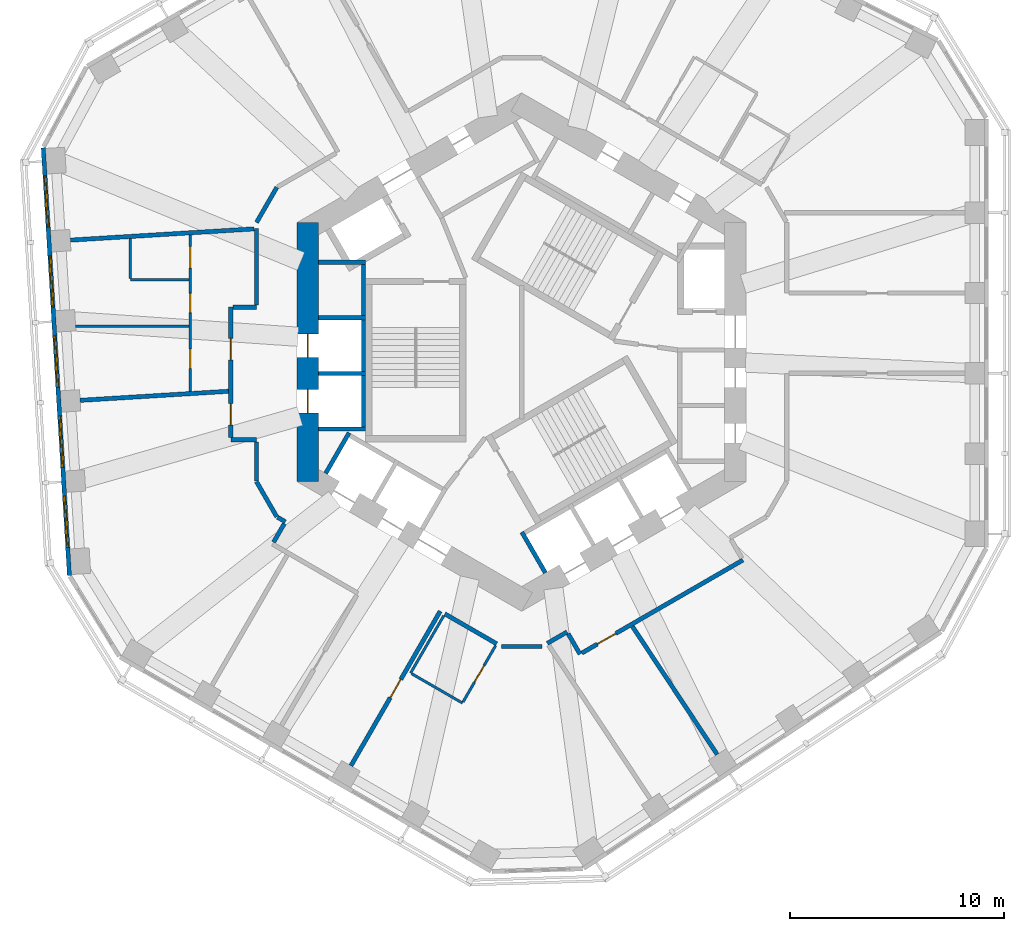
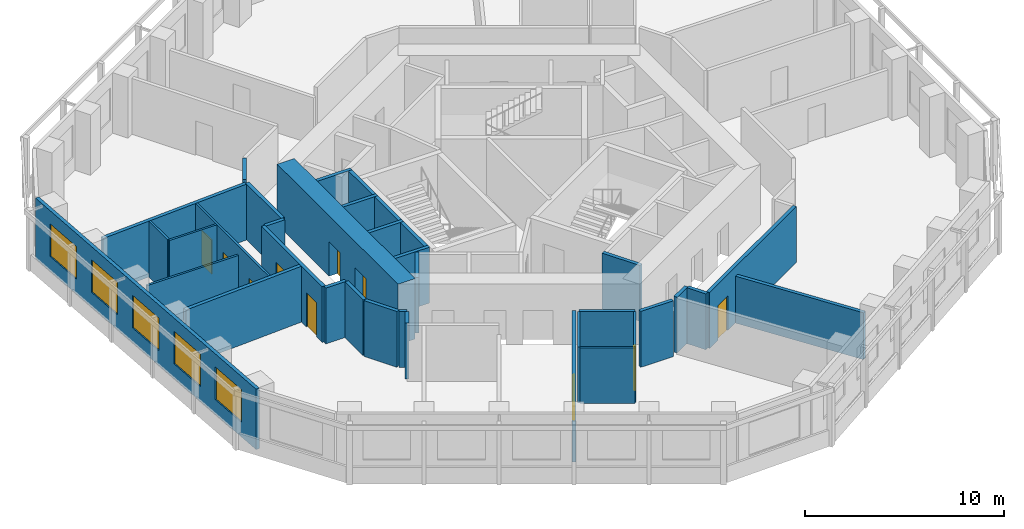
# One storey, part 4 of 10: 34 walls, 10 doors, 5 windows, 15 openings.
"""IFC4 building model written with IfcOpenShell, lengths in metres."""

from ifc_helpers import new_model, si_unit, direction, frame, frame_2d, origin, place, context, subcontext, project, spatial, rectangle, extrude, material, layer, layer_set, type_object, element, fill, save


model = new_model("IFC4")

# Units and contexts
model_context = context("Model", 3, precision=1e-05, world=origin(), true_north=direction((0.0, 1.0)))
body_context = subcontext(model_context, "Body", "Model", "MODEL_VIEW")
ifc_project = project(units=[si_unit("LENGTHUNIT", "METRE"), si_unit("AREAUNIT", "SQUARE_METRE"), si_unit("VOLUMEUNIT", "CUBIC_METRE"), si_unit("PLANEANGLEUNIT", "RADIAN"), si_unit("MASSUNIT", "GRAM", prefix="KILO")], contexts=[model_context])

# Site, building, storey
site_placement = place(None, origin())
site = spatial("IfcSite", under=ifc_project, at=site_placement, CompositionType="ELEMENT")
building_placement = place(site_placement, origin())
building = spatial("IfcBuilding", under=site, at=building_placement, Name="Vanh Sen Convention Tower", CompositionType="ELEMENT")
storey_placement = place(building_placement, frame((0.0, 0.0, 165.10009765625)))
storey = spatial("IfcBuildingStorey", under=building, at=storey_placement, Name="L40", CompositionType="ELEMENT", Elevation=165.10009765625)

# Walls
ifc_material_1 = material(Name="Moisture-resistant gypsum board on steel studs", Category="steel")
ifc_layer_1 = layer(ifc_material_1, 0.1201171875)
ifc_layer_set_1 = layer_set([ifc_layer_1], Name="Moisture-resistant gypsum board on steel studs")
wall_type_1 = type_object("IfcWallType", Name="Bathroom partition 120", PredefinedType="PARTITIONING", material=ifc_layer_set_1)
wall_1_placement = place(storey_placement, frame((-20.86279296875, 1.208251953125, 0.0), z_axis=(0.0, 0.0, 1.0), x_axis=(1.0, 0.0, 0.0)))
element("IfcWall", 1, at=wall_1_placement, inside=storey, type_object=wall_type_1, Name="Bathroom partition 120", PredefinedType="PARTITIONING", context=body_context, shape_type="SweptSolid", body=[
    extrude(rectangle(XDim=5.3017578125, YDim=0.1201171875, at=frame_2d((2.65087890625, 0.0))), origin(), (0.0, 0.0, 1.0), 2.869873046875),
])
wall_2_placement = place(storey_placement, frame((-18.301025390625, 3.379638671875, 0.0), z_axis=(0.0, 0.0, 1.0), x_axis=(1.0, 0.0, 0.0)))
element("IfcWall", 2, at=wall_2_placement, inside=storey, type_object=wall_type_1, Name="Bathroom partition 120", PredefinedType="PARTITIONING", context=body_context, shape_type="SweptSolid", body=[
    extrude(rectangle(XDim=2.739990234375, YDim=0.1201171875, at=frame_2d((1.3701171875, 0.0))), origin(), (0.0, 0.0, 1.0), 3.419921875),
])
wall_3_placement = place(storey_placement, frame((-18.301025390625, 5.308349609375, 0.0), z_axis=(0.0, 0.0, 1.0), x_axis=(0.0, -1.0, 0.0)))
element("IfcWall", 3, at=wall_3_placement, inside=storey, type_object=wall_type_1, Name="Bathroom partition 120", PredefinedType="PARTITIONING", context=body_context, shape_type="SweptSolid", body=[
    extrude(rectangle(XDim=1.86865234375, YDim=0.1201171875, at=frame_2d((0.934326171875, 0.0))), origin(), (0.0, 0.0, 1.0), 3.419921875),
])

# Wall, openings, doors
wall_4_placement = place(storey_placement, frame((-15.5009765625, 5.4794921875, 0.0), z_axis=(0.0, 0.0, 1.0), x_axis=(0.0, -1.0, 0.0)))
wall_4 = element("IfcWall", 4, at=wall_4_placement, inside=storey, type_object=wall_type_1, Name="Bathroom partition 120", PredefinedType="PARTITIONING", context=body_context, shape_type="SweptSolid", body=[
    extrude(rectangle(XDim=7.322265625, YDim=0.1201171875, at=frame_2d((3.6611328125, 0.0))), origin(), (0.0, 0.0, 1.0), 3.419921875),
])
opening_1_placement = place(wall_4_placement, frame((0.550048828125, 0.0, 0.0)))
opening_1 = element("IfcOpeningElement", 5, at=opening_1_placement, cuts=wall_4, Name="Opening D38108", PredefinedType="OPENING", context=body_context, shape_type="SweptSolid", body=[
    extrude(rectangle(XDim=1.0, YDim=2.10009765625, at=frame_2d((0.5, 1.050048828125))), frame((0.0, 0.070068359375, 0.0), z_axis=(0.0, -1.0, 0.0), x_axis=(1.0, 0.0, 0.0)), (0.0, 0.0, 1.0), 0.14013671875),
])
opening_2_placement = place(wall_4_placement, frame((2.735595703125, 0.0, 0.0)))
opening_2 = element("IfcOpeningElement", 6, at=opening_2_placement, cuts=wall_4, Name="Opening D38109", PredefinedType="OPENING", context=body_context, shape_type="SweptSolid", body=[
    extrude(rectangle(XDim=0.89990234375, YDim=2.10009765625, at=frame_2d((0.449951171875, 1.050048828125))), frame((0.0, 0.070068359375, 0.0), z_axis=(0.0, -1.0, 0.0), x_axis=(1.0, 0.0, 0.0)), (0.0, 0.0, 1.0), 0.14013671875),
])
opening_3_placement = place(wall_4_placement, frame((5.3466796875, 0.0, 0.0)))
opening_3 = element("IfcOpeningElement", 7, at=opening_3_placement, cuts=wall_4, Name="Opening D38110", PredefinedType="OPENING", context=body_context, shape_type="SweptSolid", body=[
    extrude(rectangle(XDim=0.89990234375, YDim=2.10009765625, at=frame_2d((0.449951171875, 1.050048828125))), frame((0.0, 0.070068359375, 0.0), z_axis=(0.0, -1.0, 0.0), x_axis=(1.0, 0.0, 0.0)), (0.0, 0.0, 1.0), 0.14013671875),
])
ifc_material_2 = material(Name="Laminate door in steel frame", Category="steel")
door_type_1 = type_object("IfcDoorType", Name="Accessible WC door 1000", OperationType="SINGLE_SWING_LEFT", PredefinedType="DOOR", material=ifc_material_2)
door_1_placement = place(opening_1_placement, origin())
door_1 = element("IfcDoor", 8, at=door_1_placement, inside=storey, type_object=door_type_1, Name="Accessible WC door D38108", OperationType="SINGLE_SWING_LEFT", OverallHeight=2.10009765625, OverallWidth=1.0, PredefinedType="DOOR", context=body_context, shape_type="SweptSolid", body=[
    extrude(rectangle(XDim=1.0, YDim=2.10009765625, at=frame_2d((0.5, 1.050048828125))), frame((0.0, 0.02490234375, 0.0), z_axis=(0.0, -1.0, 0.0), x_axis=(1.0, 0.0, 0.0)), (0.0, 0.0, 1.0), 0.050048828125),
])
fill(opening_1, door_1)
door_type_2 = type_object("IfcDoorType", Name="Room internal door 900", OperationType="SINGLE_SWING_LEFT", PredefinedType="DOOR", material=ifc_material_2)
door_2_placement = place(opening_2_placement, origin())
door_2 = element("IfcDoor", 9, at=door_2_placement, inside=storey, type_object=door_type_2, Name="Internal room door D38109", OperationType="SINGLE_SWING_LEFT", OverallHeight=2.10009765625, OverallWidth=0.89990234375, PredefinedType="DOOR", context=body_context, shape_type="SweptSolid", body=[
    extrude(rectangle(XDim=0.89990234375, YDim=2.10009765625, at=frame_2d((0.449951171875, 1.050048828125))), frame((0.0, 0.02490234375, 0.0), z_axis=(0.0, -1.0, 0.0), x_axis=(1.0, 0.0, 0.0)), (0.0, 0.0, 1.0), 0.050048828125),
])
fill(opening_2, door_2)
door_3_placement = place(opening_3_placement, origin())
door_3 = element("IfcDoor", 10, at=door_3_placement, inside=storey, type_object=door_type_2, Name="Internal room door D38110", OperationType="SINGLE_SWING_LEFT", OverallHeight=2.10009765625, OverallWidth=0.89990234375, PredefinedType="DOOR", context=body_context, shape_type="SweptSolid", body=[
    extrude(rectangle(XDim=0.89990234375, YDim=2.10009765625, at=frame_2d((0.449951171875, 1.050048828125))), frame((0.0, 0.02490234375, 0.0), z_axis=(0.0, -1.0, 0.0), x_axis=(1.0, 0.0, 0.0)), (0.0, 0.0, 1.0), 0.050048828125),
])
fill(opening_3, door_3)

# Walls
wall_5_placement = place(storey_placement, frame((-5.192138671875, -15.015625, 0.0), z_axis=(0.0, 0.0, 1.0), x_axis=(0.500026960575, 0.86600983753, 0.0)))
element("IfcWall", 11, at=wall_5_placement, inside=storey, type_object=wall_type_1, Name="Bathroom partition 120", PredefinedType="PARTITIONING", context=body_context, shape_type="SweptSolid", body=[
    extrude(rectangle(XDim=3.099853515625, YDim=0.1201171875, at=frame_2d((1.5498046875, 0.0))), origin(), (0.0, 0.0, 1.0), 3.419921875),
])
wall_6_placement = place(storey_placement, frame((-2.767333984375, -16.415771484375, 0.0), z_axis=(0.0, 0.0, 1.0), x_axis=(-0.865997131366, 0.500048966069, 0.0)))
element("IfcWall", 12, at=wall_6_placement, inside=storey, type_object=wall_type_1, Name="Bathroom partition 120", PredefinedType="PARTITIONING", context=body_context, shape_type="SweptSolid", body=[
    extrude(rectangle(XDim=2.739990234375, YDim=0.1201171875, at=frame_2d((1.3701171875, 0.0))), origin(), (0.0, 0.0, 1.0), 3.419921875),
])

# Wall, opening, door
wall_7_placement = place(storey_placement, frame((-1.21728515625, -13.73095703125, 0.0), z_axis=(0.0, 0.0, 1.0), x_axis=(-0.499991248344, -0.866030456496, 0.0)))
wall_7 = element("IfcWall", 13, at=wall_7_placement, inside=storey, type_object=wall_type_1, Name="Bathroom partition 120", PredefinedType="PARTITIONING", context=body_context, shape_type="SweptSolid", body=[
    extrude(rectangle(XDim=3.0400390625, YDim=0.1201171875, at=frame_2d((1.52001953125, 0.0))), origin(), (0.0, 0.0, 1.0), 3.419921875),
])
opening_4_placement = place(wall_7_placement, frame((1.070068359375, 0.0, 0.0)))
opening_4 = element("IfcOpeningElement", 14, at=opening_4_placement, cuts=wall_7, Name="Opening D38114", PredefinedType="OPENING", context=body_context, shape_type="SweptSolid", body=[
    extrude(rectangle(XDim=0.89990234375, YDim=2.10009765625, at=frame_2d((0.449951171875, 1.050048828125))), frame((0.0, 0.070068359375, 0.0), z_axis=(0.0, -1.0, 0.0), x_axis=(1.0, 0.0, 0.0)), (0.0, 0.0, 1.0), 0.14013671875),
])
door_4_placement = place(opening_4_placement, origin())
door_4 = element("IfcDoor", 15, at=door_4_placement, inside=storey, type_object=door_type_2, Name="Internal room door D38114", OperationType="SINGLE_SWING_LEFT", OverallHeight=2.10009765625, OverallWidth=0.89990234375, PredefinedType="DOOR", context=body_context, shape_type="SweptSolid", body=[
    extrude(rectangle(XDim=0.89990234375, YDim=2.10009765625, at=frame_2d((0.449951171875, 1.050048828125))), frame((0.0, 0.02490234375, 0.0), z_axis=(0.0, -1.0, 0.0), x_axis=(1.0, 0.0, 0.0)), (0.0, 0.0, 1.0), 0.050048828125),
])
fill(opening_4, door_4)

# Wall, openings, doors
ifc_material_3 = material(Name="Concrete C80/95", Category="concrete")
ifc_layer_2 = layer(ifc_material_3, 1.0)
ifc_layer_set_2 = layer_set([ifc_layer_2], Name="Concrete C80/95")
wall_type_2 = type_object("IfcWallType", Name="Core outer wall 1000 C80/95", PredefinedType="SHEAR", material=ifc_layer_set_2)
wall_8_placement = place(storey_placement, frame((-10.0, 6.062255859375, 0.0), z_axis=(0.0, 0.0, 1.0), x_axis=(0.0, -1.0, 0.0)))
wall_8 = element("IfcWall", 16, at=wall_8_placement, inside=storey, type_object=wall_type_2, Name="Core wall face W L40", PredefinedType="SHEAR", context=body_context, shape_type="SweptSolid", body=[
    extrude(rectangle(XDim=12.12451171875, YDim=1.0, at=frame_2d((6.062255859375, 0.0))), origin(), (0.0, 0.0, 1.0), 3.699951171875),
])
opening_5_placement = place(wall_8_placement, frame((5.212158203125, 0.0, 0.0)))
opening_5 = element("IfcOpeningElement", 17, at=opening_5_placement, cuts=wall_8, Name="Opening LD-HR1", PredefinedType="OPENING", context=body_context, shape_type="SweptSolid", body=[
    extrude(rectangle(XDim=1.10009765625, YDim=2.10009765625, at=frame_2d((0.550048828125, 1.050048828125))), frame((0.0, 0.510009765625, 0.0), z_axis=(0.0, -1.0, 0.0), x_axis=(1.0, 0.0, 0.0)), (0.0, 0.0, 1.0), 1.02001953125),
])
opening_6_placement = place(wall_8_placement, frame((7.812255859375, 0.0, 0.0)))
opening_6 = element("IfcOpeningElement", 18, at=opening_6_placement, cuts=wall_8, Name="Opening LD-HR2", PredefinedType="OPENING", context=body_context, shape_type="SweptSolid", body=[
    extrude(rectangle(XDim=1.10009765625, YDim=2.10009765625, at=frame_2d((0.550048828125, 1.050048828125))), frame((0.0, 0.510009765625, 0.0), z_axis=(0.0, -1.0, 0.0), x_axis=(1.0, 0.0, 0.0)), (0.0, 0.0, 1.0), 1.02001953125),
])
ifc_material_4 = material(Name="Stainless steel", Category="steel")
door_type_3 = type_object("IfcDoorType", Name="Lift landing door 1100", OperationType="DOUBLE_DOOR_SLIDING", PredefinedType="DOOR", material=ifc_material_4)
door_5_placement = place(opening_5_placement, origin())
door_5 = element("IfcDoor", 19, at=door_5_placement, inside=storey, type_object=door_type_3, Name="Lift HR1 landing door LD-HR1", OperationType="DOUBLE_DOOR_SLIDING", OverallHeight=2.10009765625, OverallWidth=1.10009765625, PredefinedType="DOOR", context=body_context, shape_type="SweptSolid", body=[
    extrude(rectangle(XDim=1.10009765625, YDim=2.10009765625, at=frame_2d((0.550048828125, 1.050048828125))), frame((0.0, 0.02490234375, 0.0), z_axis=(0.0, -1.0, 0.0), x_axis=(1.0, 0.0, 0.0)), (0.0, 0.0, 1.0), 0.050048828125),
])
fill(opening_5, door_5)
door_6_placement = place(opening_6_placement, origin())
door_6 = element("IfcDoor", 20, at=door_6_placement, inside=storey, type_object=door_type_3, Name="Lift HR2 landing door LD-HR2", OperationType="DOUBLE_DOOR_SLIDING", OverallHeight=2.10009765625, OverallWidth=1.10009765625, PredefinedType="DOOR", context=body_context, shape_type="SweptSolid", body=[
    extrude(rectangle(XDim=1.10009765625, YDim=2.10009765625, at=frame_2d((0.550048828125, 1.050048828125))), frame((0.0, 0.02490234375, 0.0), z_axis=(0.0, -1.0, 0.0), x_axis=(1.0, 0.0, 0.0)), (0.0, 0.0, 1.0), 0.050048828125),
])
fill(opening_6, door_6)

# Wall
ifc_material_5 = material(Name="Gypsum board on steel studs with mineral wool", Category="steel")
ifc_layer_3 = layer(ifc_material_5, 0.199951171875)
ifc_layer_set_3 = layer_set([ifc_layer_3], Name="Gypsum board on steel studs with mineral wool")
wall_type_3 = type_object("IfcWallType", Name="Corridor partition wall 200", PredefinedType="PARTITIONING", material=ifc_layer_set_3)
wall_9_placement = place(storey_placement, frame((-13.60107421875, -4.10107421875, 0.0), z_axis=(0.0, 0.0, 1.0), x_axis=(1.0, 0.0, 0.0)))
element("IfcWall", 21, at=wall_9_placement, inside=storey, type_object=wall_type_3, Name="Corridor partition wall 200", PredefinedType="PARTITIONING", context=body_context, shape_type="SweptSolid", body=[
    extrude(rectangle(XDim=1.201171875, YDim=0.199951171875, at=frame_2d((0.6005859375, 0.0))), origin(), (0.0, 0.0, 1.0), 3.419921875),
])

# Wall, openings, doors
wall_10_placement = place(storey_placement, frame((-13.60107421875, 2.10107421875, 0.0), z_axis=(0.0, 0.0, 1.0), x_axis=(0.0, -1.0, 0.0)))
wall_10 = element("IfcWall", 22, at=wall_10_placement, inside=storey, type_object=wall_type_3, Name="Corridor partition wall 200", PredefinedType="PARTITIONING", context=body_context, shape_type="SweptSolid", body=[
    extrude(rectangle(XDim=6.10205078125, YDim=0.199951171875, at=frame_2d((3.051025390625, 0.0))), origin(), (0.0, 0.0, 1.0), 3.419921875),
])
opening_7_placement = place(wall_10_placement, frame((1.4638671875, 0.0, 0.0)))
opening_7 = element("IfcOpeningElement", 23, at=opening_7_placement, cuts=wall_10, Name="Opening D38107", PredefinedType="OPENING", context=body_context, shape_type="SweptSolid", body=[
    extrude(rectangle(XDim=1.0, YDim=2.10009765625, at=frame_2d((0.5, 1.050048828125))), frame((0.0, 0.10986328125, 0.0), z_axis=(0.0, -1.0, 0.0), x_axis=(1.0, 0.0, 0.0)), (0.0, 0.0, 1.0), 0.219970703125),
])
opening_8_placement = place(wall_10_placement, frame((4.514892578125, 0.0, 0.0)))
opening_8 = element("IfcOpeningElement", 24, at=opening_8_placement, cuts=wall_10, Name="Opening D38111", PredefinedType="OPENING", context=body_context, shape_type="SweptSolid", body=[
    extrude(rectangle(XDim=1.0, YDim=2.10009765625, at=frame_2d((0.5, 1.050048828125))), frame((0.0, 0.10986328125, 0.0), z_axis=(0.0, -1.0, 0.0), x_axis=(1.0, 0.0, 0.0)), (0.0, 0.0, 1.0), 0.219970703125),
])
ifc_material_6 = material(Name="Timber fire door in steel frame", Category="steel")
door_type_4 = type_object("IfcDoorType", Name="Floor room door 1000", OperationType="SINGLE_SWING_LEFT", PredefinedType="DOOR", material=ifc_material_6)
door_7_placement = place(opening_7_placement, origin())
door_7 = element("IfcDoor", 25, at=door_7_placement, inside=storey, type_object=door_type_4, Name="Meeting and amenity room door D38107", OperationType="SINGLE_SWING_LEFT", OverallHeight=2.10009765625, OverallWidth=1.0, PredefinedType="DOOR", context=body_context, shape_type="SweptSolid", body=[
    extrude(rectangle(XDim=1.0, YDim=2.10009765625, at=frame_2d((0.5, 1.050048828125))), frame((0.0, 0.02490234375, 0.0), z_axis=(0.0, -1.0, 0.0), x_axis=(1.0, 0.0, 0.0)), (0.0, 0.0, 1.0), 0.050048828125),
])
fill(opening_7, door_7)
ifc_material_7 = material(Name="Glazed fire door in steel frame", Category="steel")
door_type_5 = type_object("IfcDoorType", Name="Tenant entrance door 1000", OperationType="SINGLE_SWING_LEFT", PredefinedType="DOOR", material=ifc_material_7)
door_8_placement = place(opening_8_placement, origin())
door_8 = element("IfcDoor", 26, at=door_8_placement, inside=storey, type_object=door_type_5, Name="Tenant suite entrance door D38111", OperationType="SINGLE_SWING_LEFT", OverallHeight=2.10009765625, OverallWidth=1.0, PredefinedType="DOOR", context=body_context, shape_type="SweptSolid", body=[
    extrude(rectangle(XDim=1.0, YDim=2.10009765625, at=frame_2d((0.5, 1.050048828125))), frame((0.0, 0.02490234375, 0.0), z_axis=(0.0, -1.0, 0.0), x_axis=(1.0, 0.0, 0.0)), (0.0, 0.0, 1.0), 0.050048828125),
])
fill(opening_8, door_8)

# Walls
wall_11_placement = place(storey_placement, frame((-12.39990234375, -6.062255859375, 0.0), z_axis=(0.0, 0.0, 1.0), x_axis=(0.500022797313, -0.86601224135, 0.0)))
element("IfcWall", 27, at=wall_11_placement, inside=storey, type_object=wall_type_3, Name="Corridor partition wall 200", PredefinedType="PARTITIONING", context=body_context, shape_type="SweptSolid", body=[
    extrude(rectangle(XDim=1.89990234375, YDim=0.199951171875, at=frame_2d((0.949951171875, 0.0))), origin(), (0.0, 0.0, 1.0), 3.419921875),
])
wall_12_placement = place(storey_placement, frame((-12.39990234375, -4.200927734375, 0.0), z_axis=(0.0, 0.0, 1.0), x_axis=(0.0, -1.0, 0.0)))
element("IfcWall", 28, at=wall_12_placement, inside=storey, type_object=wall_type_3, Name="Corridor partition wall 200", PredefinedType="PARTITIONING", context=body_context, shape_type="SweptSolid", body=[
    extrude(rectangle(XDim=1.8212890625, YDim=0.199951171875, at=frame_2d((0.91064453125, 0.0))), origin(), (0.0, 0.0, 1.0), 3.419921875),
])
wall_13_placement = place(storey_placement, frame((-12.39990234375, 2.10107421875, 0.0), z_axis=(0.0, 0.0, 1.0), x_axis=(-1.0, 0.0, 0.0)))
element("IfcWall", 29, at=wall_13_placement, inside=storey, type_object=wall_type_3, Name="Corridor partition wall 200", PredefinedType="PARTITIONING", context=body_context, shape_type="SweptSolid", body=[
    extrude(rectangle(XDim=1.10107421875, YDim=0.199951171875, at=frame_2d((0.550537109375, 0.0))), origin(), (0.0, 0.0, 1.0), 3.419921875),
])
wall_14_placement = place(storey_placement, frame((-12.39990234375, 5.769287109375, 0.0), z_axis=(0.0, 0.0, 1.0), x_axis=(0.0, -1.0, 0.0)))
element("IfcWall", 30, at=wall_14_placement, inside=storey, type_object=wall_type_3, Name="Corridor partition wall 200", PredefinedType="PARTITIONING", context=body_context, shape_type="SweptSolid", body=[
    extrude(rectangle(XDim=3.568359375, YDim=0.199951171875, at=frame_2d((1.7841796875, 0.0))), origin(), (0.0, 0.0, 1.0), 3.419921875),
])
wall_15_placement = place(storey_placement, frame((-11.449951171875, 7.70751953125, 0.0), z_axis=(0.0, 0.0, 1.0), x_axis=(-0.500022797313, -0.86601224135, 0.0)))
element("IfcWall", 31, at=wall_15_placement, inside=storey, type_object=wall_type_3, Name="Corridor partition wall 200", PredefinedType="PARTITIONING", context=body_context, shape_type="SweptSolid", body=[
    extrude(rectangle(XDim=1.89990234375, YDim=0.199951171875, at=frame_2d((0.949951171875, 0.0))), origin(), (0.0, 0.0, 1.0), 3.419921875),
])
wall_16_placement = place(storey_placement, frame((-11.415283203125, -7.7275390625, 0.0), z_axis=(0.0, 0.0, 1.0), x_axis=(0.865915281873, -0.500190688257, 0.0)))
element("IfcWall", 32, at=wall_16_placement, inside=storey, type_object=wall_type_3, Name="Corridor partition wall 200", PredefinedType="PARTITIONING", context=body_context, shape_type="SweptSolid", body=[
    extrude(rectangle(XDim=0.421142578125, YDim=0.199951171875, at=frame_2d((0.21044921875, 0.0))), origin(), (0.0, 0.0, 1.0), 3.419921875),
])
wall_17_placement = place(storey_placement, frame((-11.1005859375, -8.02490234375, 0.0), z_axis=(0.0, 0.0, 1.0), x_axis=(-0.500074377092, -0.865982457891, 0.0)))
element("IfcWall", 33, at=wall_17_placement, inside=storey, type_object=wall_type_3, Name="Corridor partition wall 200", PredefinedType="PARTITIONING", context=body_context, shape_type="SweptSolid", body=[
    extrude(rectangle(XDim=1.000732421875, YDim=0.199951171875, at=frame_2d((0.50048828125, 0.0))), origin(), (0.0, 0.0, 1.0), 3.419921875),
])

# Wall, opening, door
wall_18_placement = place(storey_placement, frame((-7.983642578125, -19.3505859375, 0.0), z_axis=(0.0, 0.0, 1.0), x_axis=(0.500010139422, 0.866019549707, 0.0)))
wall_18 = element("IfcWall", 34, at=wall_18_placement, inside=storey, type_object=wall_type_3, Name="Corridor partition wall 200", PredefinedType="PARTITIONING", context=body_context, shape_type="SweptSolid", body=[
    extrude(rectangle(XDim=8.349853515625, YDim=0.199951171875, at=frame_2d((4.1748046875, 0.0))), origin(), (0.0, 0.0, 1.0), 3.419921875),
])
opening_9_placement = place(wall_18_placement, frame((3.675048828125, 0.0, 0.0)))
opening_9 = element("IfcOpeningElement", 35, at=opening_9_placement, cuts=wall_18, Name="Opening D38113", PredefinedType="OPENING", context=body_context, shape_type="SweptSolid", body=[
    extrude(rectangle(XDim=1.0, YDim=2.10009765625, at=frame_2d((0.5, 1.050048828125))), frame((0.0, 0.10986328125, 0.0), z_axis=(0.0, -1.0, 0.0), x_axis=(1.0, 0.0, 0.0)), (0.0, 0.0, 1.0), 0.219970703125),
])
door_9_placement = place(opening_9_placement, origin())
door_9 = element("IfcDoor", 36, at=door_9_placement, inside=storey, type_object=door_type_5, Name="Tenant suite entrance door D38113", OperationType="SINGLE_SWING_LEFT", OverallHeight=2.10009765625, OverallWidth=1.0, PredefinedType="DOOR", context=body_context, shape_type="SweptSolid", body=[
    extrude(rectangle(XDim=1.0, YDim=2.10009765625, at=frame_2d((0.5, 1.050048828125))), frame((0.0, 0.02490234375, 0.0), z_axis=(0.0, -1.0, 0.0), x_axis=(1.0, 0.0, 0.0)), (0.0, 0.0, 1.0), 0.050048828125),
])
fill(opening_9, door_9)

# Walls
wall_19_placement = place(storey_placement, frame((-3.592041015625, -12.244384765625, 0.0), z_axis=(0.0, 0.0, 1.0), x_axis=(0.866034573852, -0.49998411664, 0.0)))
element("IfcWall", 37, at=wall_19_placement, inside=storey, type_object=wall_type_3, Name="Corridor partition wall 200", PredefinedType="PARTITIONING", context=body_context, shape_type="SweptSolid", body=[
    extrude(rectangle(XDim=2.7998046875, YDim=0.199951171875, at=frame_2d((1.39990234375, 0.0))), origin(), (0.0, 0.0, 1.0), 3.419921875),
])
wall_20_placement = place(storey_placement, frame((-0.949951171875, -13.769775390625, 0.0), z_axis=(0.0, 0.0, 1.0), x_axis=(1.0, 0.0, 0.0)))
element("IfcWall", 38, at=wall_20_placement, inside=storey, type_object=wall_type_3, Name="Corridor partition wall 200", PredefinedType="PARTITIONING", context=body_context, shape_type="SweptSolid", body=[
    extrude(rectangle(XDim=1.89990234375, YDim=0.199951171875, at=frame_2d((0.949951171875, 0.0))), origin(), (0.0, 0.0, 1.0), 3.419921875),
])
wall_21_placement = place(storey_placement, frame((1.20361328125, -13.623291015625, 0.0), z_axis=(0.0, 0.0, 1.0), x_axis=(0.866040989419, 0.499973003918, 0.0)))
element("IfcWall", 39, at=wall_21_placement, inside=storey, type_object=wall_type_3, Name="Corridor partition wall 200", PredefinedType="PARTITIONING", context=body_context, shape_type="SweptSolid", body=[
    extrude(rectangle(XDim=1.068359375, YDim=0.199951171875, at=frame_2d((0.5341796875, 0.0))), origin(), (0.0, 0.0, 1.0), 3.419921875),
])
wall_22_placement = place(storey_placement, frame((2.1787109375, -13.17578125, 0.0), z_axis=(0.0, 0.0, 1.0), x_axis=(0.499978356969, -0.866037899034, 0.0)))
element("IfcWall", 40, at=wall_22_placement, inside=storey, type_object=wall_type_3, Name="Corridor partition wall 200", PredefinedType="PARTITIONING", context=body_context, shape_type="SweptSolid", body=[
    extrude(rectangle(XDim=1.10107421875, YDim=0.199951171875, at=frame_2d((0.550537109375, 0.0))), origin(), (0.0, 0.0, 1.0), 3.419921875),
])

# Wall, opening, door
wall_23_placement = place(storey_placement, frame((2.81591796875, -14.079345703125, 0.0), z_axis=(0.0, 0.0, 1.0), x_axis=(0.866021128829, 0.500007404367, 0.0)))
wall_23 = element("IfcWall", 41, at=wall_23_placement, inside=storey, type_object=wall_type_3, Name="Corridor partition wall 200", PredefinedType="PARTITIONING", context=body_context, shape_type="SweptSolid", body=[
    extrude(rectangle(XDim=8.701904296875, YDim=0.199951171875, at=frame_2d((4.35107421875, 0.0))), origin(), (0.0, 0.0, 1.0), 3.419921875),
])
opening_10_placement = place(wall_23_placement, frame((0.833251953125, 0.0, 0.0)))
opening_10 = element("IfcOpeningElement", 42, at=opening_10_placement, cuts=wall_23, Name="Opening D38115", PredefinedType="OPENING", context=body_context, shape_type="SweptSolid", body=[
    extrude(rectangle(XDim=1.0, YDim=2.10009765625, at=frame_2d((0.5, 1.050048828125))), frame((0.0, 0.10986328125, 0.0), z_axis=(0.0, -1.0, 0.0), x_axis=(1.0, 0.0, 0.0)), (0.0, 0.0, 1.0), 0.219970703125),
])
door_10_placement = place(opening_10_placement, origin())
door_10 = element("IfcDoor", 43, at=door_10_placement, inside=storey, type_object=door_type_5, Name="Tenant suite entrance door D38115", OperationType="SINGLE_SWING_LEFT", OverallHeight=2.10009765625, OverallWidth=1.0, PredefinedType="DOOR", context=body_context, shape_type="SweptSolid", body=[
    extrude(rectangle(XDim=1.0, YDim=2.10009765625, at=frame_2d((0.5, 1.050048828125))), frame((0.0, 0.02490234375, 0.0), z_axis=(0.0, -1.0, 0.0), x_axis=(1.0, 0.0, 0.0)), (0.0, 0.0, 1.0), 0.050048828125),
])
fill(opening_10, door_10)

# Wall, openings, windows
ifc_material_8 = material(Name="Insulated lightweight infill wall")
ifc_layer_4 = layer(ifc_material_8, 0.199951171875)
ifc_layer_set_4 = layer_set([ifc_layer_4], Name="Insulated lightweight infill wall")
wall_type_4 = type_object("IfcWallType", Name="External wall 200", PredefinedType="STANDARD", material=ifc_layer_set_4)
wall_24_placement = place(storey_placement, frame((-22.375, 9.55712890625, 0.0), z_axis=(0.0, 0.0, 1.0), x_axis=(0.061036015339, -0.998135564356, 0.0)))
wall_24 = element("IfcWall", 44, at=wall_24_placement, inside=storey, type_object=wall_type_4, Name="External wall W L40", PredefinedType="STANDARD", context=body_context, shape_type="SweptSolid", body=[
    extrude(rectangle(XDim=20.043701171875, YDim=0.199951171875, at=frame_2d((10.02197265625, 0.0))), origin(), (0.0, 0.0, 1.0), 3.699951171875),
])
opening_11_placement = place(wall_24_placement, frame((1.312744140625, 0.0, 0.89990234375)))
opening_11 = element("IfcOpeningElement", 45, at=opening_11_placement, cuts=wall_24, Name="Opening WO1-W1", PredefinedType="OPENING", context=body_context, shape_type="SweptSolid", body=[
    extrude(rectangle(XDim=2.39990234375, YDim=2.0, at=frame_2d((1.199951171875, 1.0))), frame((0.0, 0.10986328125, 0.0), z_axis=(0.0, -1.0, 0.0), x_axis=(1.0, 0.0, 0.0)), (0.0, 0.0, 1.0), 0.219970703125),
])
opening_12_placement = place(wall_24_placement, frame((5.06689453125, 0.0, 0.89990234375)))
opening_12 = element("IfcOpeningElement", 46, at=opening_12_placement, cuts=wall_24, Name="Opening WO1-W2", PredefinedType="OPENING", context=body_context, shape_type="SweptSolid", body=[
    extrude(rectangle(XDim=2.39990234375, YDim=2.0, at=frame_2d((1.199951171875, 1.0))), frame((0.0, 0.10986328125, 0.0), z_axis=(0.0, -1.0, 0.0), x_axis=(1.0, 0.0, 0.0)), (0.0, 0.0, 1.0), 0.219970703125),
])
opening_13_placement = place(wall_24_placement, frame((8.821044921875, 0.0, 0.89990234375)))
opening_13 = element("IfcOpeningElement", 47, at=opening_13_placement, cuts=wall_24, Name="Opening WO1-W3", PredefinedType="OPENING", context=body_context, shape_type="SweptSolid", body=[
    extrude(rectangle(XDim=2.39990234375, YDim=2.0, at=frame_2d((1.199951171875, 1.0))), frame((0.0, 0.10986328125, 0.0), z_axis=(0.0, -1.0, 0.0), x_axis=(1.0, 0.0, 0.0)), (0.0, 0.0, 1.0), 0.219970703125),
])
opening_14_placement = place(wall_24_placement, frame((12.5751953125, 0.0, 0.89990234375)))
opening_14 = element("IfcOpeningElement", 48, at=opening_14_placement, cuts=wall_24, Name="Opening WO1-W4", PredefinedType="OPENING", context=body_context, shape_type="SweptSolid", body=[
    extrude(rectangle(XDim=2.39990234375, YDim=2.0, at=frame_2d((1.199951171875, 1.0))), frame((0.0, 0.10986328125, 0.0), z_axis=(0.0, -1.0, 0.0), x_axis=(1.0, 0.0, 0.0)), (0.0, 0.0, 1.0), 0.219970703125),
])
opening_15_placement = place(wall_24_placement, frame((16.329345703125, 0.0, 0.89990234375)))
opening_15 = element("IfcOpeningElement", 49, at=opening_15_placement, cuts=wall_24, Name="Opening WO1-W5", PredefinedType="OPENING", context=body_context, shape_type="SweptSolid", body=[
    extrude(rectangle(XDim=2.39990234375, YDim=2.0, at=frame_2d((1.199951171875, 1.0))), frame((0.0, 0.10986328125, 0.0), z_axis=(0.0, -1.0, 0.0), x_axis=(1.0, 0.0, 0.0)), (0.0, 0.0, 1.0), 0.219970703125),
])
ifc_material_9 = material(Name="Aluminium frame with clear low-emissivity glass", Category="aluminium")
window_type = type_object("IfcWindowType", Name="Office window 2400 x 2000", PartitioningType="SINGLE_PANEL", PredefinedType="WINDOW", material=ifc_material_9)
window_1_placement = place(opening_11_placement, origin())
window_1 = element("IfcWindow", 50, at=window_1_placement, inside=storey, type_object=window_type, Name="Window WO1-W1", OverallHeight=2.0, OverallWidth=2.39990234375, PartitioningType="SINGLE_PANEL", PredefinedType="WINDOW", context=body_context, shape_type="SweptSolid", body=[
    extrude(rectangle(XDim=2.39990234375, YDim=2.0, at=frame_2d((1.199951171875, 1.0))), frame((0.0, 0.030029296875, 0.0), z_axis=(0.0, -1.0, 0.0), x_axis=(1.0, 0.0, 0.0)), (0.0, 0.0, 1.0), 0.06005859375),
])
fill(opening_11, window_1)
window_2_placement = place(opening_12_placement, origin())
window_2 = element("IfcWindow", 51, at=window_2_placement, inside=storey, type_object=window_type, Name="Window WO1-W2", OverallHeight=2.0, OverallWidth=2.39990234375, PartitioningType="SINGLE_PANEL", PredefinedType="WINDOW", context=body_context, shape_type="SweptSolid", body=[
    extrude(rectangle(XDim=2.39990234375, YDim=2.0, at=frame_2d((1.199951171875, 1.0))), frame((0.0, 0.030029296875, 0.0), z_axis=(0.0, -1.0, 0.0), x_axis=(1.0, 0.0, 0.0)), (0.0, 0.0, 1.0), 0.06005859375),
])
fill(opening_12, window_2)
window_3_placement = place(opening_13_placement, origin())
window_3 = element("IfcWindow", 52, at=window_3_placement, inside=storey, type_object=window_type, Name="Window WO1-W3", OverallHeight=2.0, OverallWidth=2.39990234375, PartitioningType="SINGLE_PANEL", PredefinedType="WINDOW", context=body_context, shape_type="SweptSolid", body=[
    extrude(rectangle(XDim=2.39990234375, YDim=2.0, at=frame_2d((1.199951171875, 1.0))), frame((0.0, 0.030029296875, 0.0), z_axis=(0.0, -1.0, 0.0), x_axis=(1.0, 0.0, 0.0)), (0.0, 0.0, 1.0), 0.06005859375),
])
fill(opening_13, window_3)
window_4_placement = place(opening_14_placement, origin())
window_4 = element("IfcWindow", 53, at=window_4_placement, inside=storey, type_object=window_type, Name="Window WO1-W4", OverallHeight=2.0, OverallWidth=2.39990234375, PartitioningType="SINGLE_PANEL", PredefinedType="WINDOW", context=body_context, shape_type="SweptSolid", body=[
    extrude(rectangle(XDim=2.39990234375, YDim=2.0, at=frame_2d((1.199951171875, 1.0))), frame((0.0, 0.030029296875, 0.0), z_axis=(0.0, -1.0, 0.0), x_axis=(1.0, 0.0, 0.0)), (0.0, 0.0, 1.0), 0.06005859375),
])
fill(opening_14, window_4)
window_5_placement = place(opening_15_placement, origin())
window_5 = element("IfcWindow", 54, at=window_5_placement, inside=storey, type_object=window_type, Name="Window WO1-W5", OverallHeight=2.0, OverallWidth=2.39990234375, PartitioningType="SINGLE_PANEL", PredefinedType="WINDOW", context=body_context, shape_type="SweptSolid", body=[
    extrude(rectangle(XDim=2.39990234375, YDim=2.0, at=frame_2d((1.199951171875, 1.0))), frame((0.0, 0.030029296875, 0.0), z_axis=(0.0, -1.0, 0.0), x_axis=(1.0, 0.0, 0.0)), (0.0, 0.0, 1.0), 0.06005859375),
])
fill(opening_15, window_5)

# Walls
ifc_material_10 = material(Name="Concrete C40/50", Category="concrete")
ifc_layer_5 = layer(ifc_material_10, 0.199951171875)
ifc_layer_set_5 = layer_set([ifc_layer_5], Name="Concrete C40/50")
wall_type_5 = type_object("IfcWallType", Name="Lift shaft wall 200", PredefinedType="PARTITIONING", material=ifc_layer_set_5)
wall_25_placement = place(storey_placement, frame((-7.39990234375, 4.300048828125, 0.0), z_axis=(0.0, 0.0, 1.0), x_axis=(0.0, -1.0, 0.0)))
element("IfcWall", 55, at=wall_25_placement, inside=storey, type_object=wall_type_5, Name="Lift shaft wall L40", PredefinedType="PARTITIONING", context=body_context, shape_type="SweptSolid", body=[
    extrude(rectangle(XDim=8.0, YDim=0.199951171875, at=frame_2d((4.0, 0.0))), origin(), (0.0, 0.0, 1.0), 3.419921875),
])
for number, where, z_axis, x_axis, name in (
    (56, (-7.300048828125, 4.199951171875, 0.0), (0.0, 0.0, 1.0), (-1.0, 0.0, 0.0), "Lift shaft wall L40"),
    (57, (-7.300048828125, 1.60009765625, 0.0), (0.0, 0.0, 1.0), (-1.0, 0.0, 0.0), "Lift shaft wall L40"),
    (58, (-7.300048828125, -1.0, 0.0), (0.0, 0.0, 1.0), (-1.0, 0.0, 0.0), "Lift shaft wall L40"),
    (59, (-7.300048828125, -3.60009765625, 0.0), (0.0, 0.0, 1.0), (-1.0, 0.0, 0.0), "Lift shaft wall L40"),
    (60, (-8.066650390625, -3.77197265625, 0.0), (0.0, 0.0, 1.0), (-0.50002983664, -0.866008176907, 0.0), "Lift shaft wall L40"),
    (61, (0.0126953125, -8.422119140625, 0.0), (0.0, 0.0, 1.0), (0.500077893725, -0.86598042715, 0.0), "Lift shaft wall L40"),
):
    element("IfcWall", number, at=place(storey_placement, frame(where, z_axis=z_axis, x_axis=x_axis)), inside=storey, type_object=wall_type_5, Name=name, PredefinedType="PARTITIONING", context=body_context, shape_type="SweptSolid", body=[
        extrude(rectangle(XDim=2.199951171875, YDim=0.199951171875, at=frame_2d((1.10009765625, 0.0))), origin(), (0.0, 0.0, 1.0), 3.419921875),
    ])
ifc_layer_6 = layer(ifc_material_5, 0.199951171875)
ifc_layer_set_6 = layer_set([ifc_layer_6], Name="Gypsum board on steel studs with mineral wool")
wall_type_6 = type_object("IfcWallType", Name="Tenant suite wall 200", PredefinedType="PARTITIONING", material=ifc_layer_set_6)
wall_26_placement = place(storey_placement, frame((-21.10888671875, 5.236572265625, 0.0), z_axis=(0.0, 0.0, 1.0), x_axis=(0.998135264293, 0.061040922131, 0.0)))
element("IfcWall", 62, at=wall_26_placement, inside=storey, type_object=wall_type_6, Name="Tenant suite wall 200", PredefinedType="PARTITIONING", context=body_context, shape_type="SweptSolid", body=[
    extrude(rectangle(XDim=8.615234375, YDim=0.199951171875, at=frame_2d((4.3076171875, 0.0))), origin(), (0.0, 0.0, 1.0), 3.419921875),
])
wall_27_placement = place(storey_placement, frame((-20.650634765625, -2.2578125, 0.0), z_axis=(0.0, 0.0, 1.0), x_axis=(0.998133960965, 0.061062230286, 0.0)))
element("IfcWall", 63, at=wall_27_placement, inside=storey, type_object=wall_type_6, Name="Tenant suite wall 200", PredefinedType="PARTITIONING", context=body_context, shape_type="SweptSolid", body=[
    extrude(rectangle(XDim=6.952880859375, YDim=0.199951171875, at=frame_2d((3.4765625, 0.0))), origin(), (0.0, 0.0, 1.0), 3.419921875),
])
wall_28_placement = place(storey_placement, frame((9.14990234375, -18.8271484375, 0.0), z_axis=(0.0, 0.0, 1.0), x_axis=(-0.551928083938, 0.83389171369, 0.0)))
element("IfcWall", 64, at=wall_28_placement, inside=storey, type_object=wall_type_6, Name="Tenant suite wall 200", PredefinedType="PARTITIONING", context=body_context, shape_type="SweptSolid", body=[
    extrude(rectangle(XDim=7.182373046875, YDim=0.199951171875, at=frame_2d((3.59130859375, 0.0))), origin(), (0.0, 0.0, 1.0), 2.869873046875),
])

save(model, "model.ifc")
